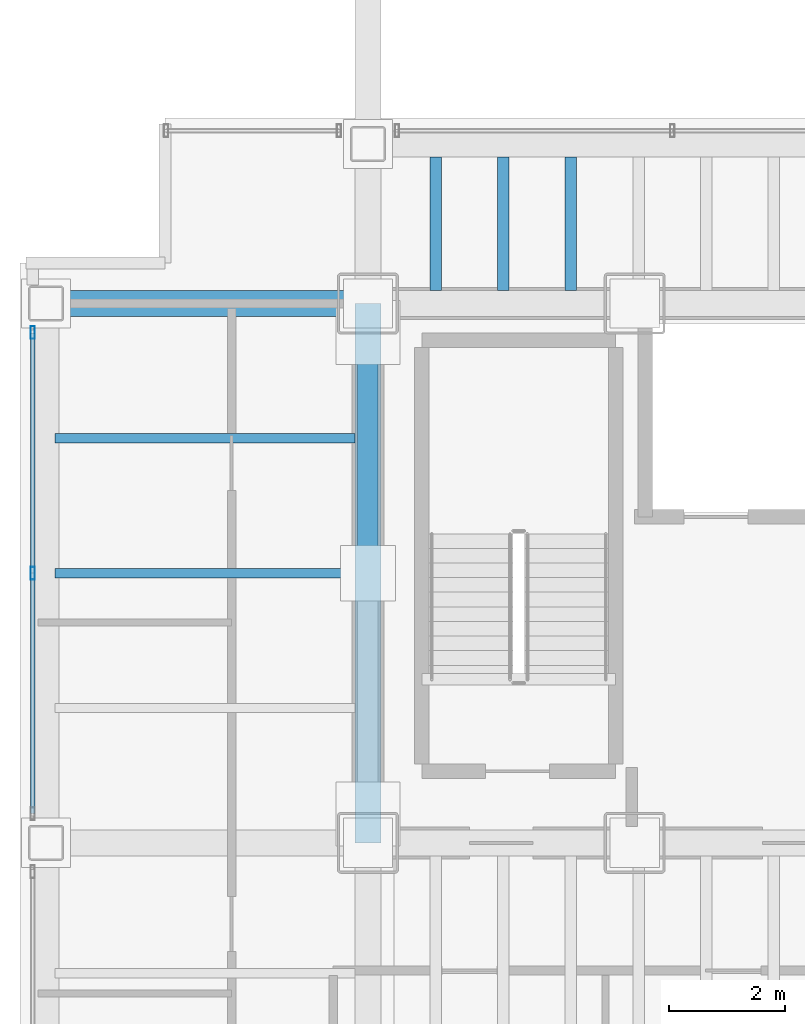
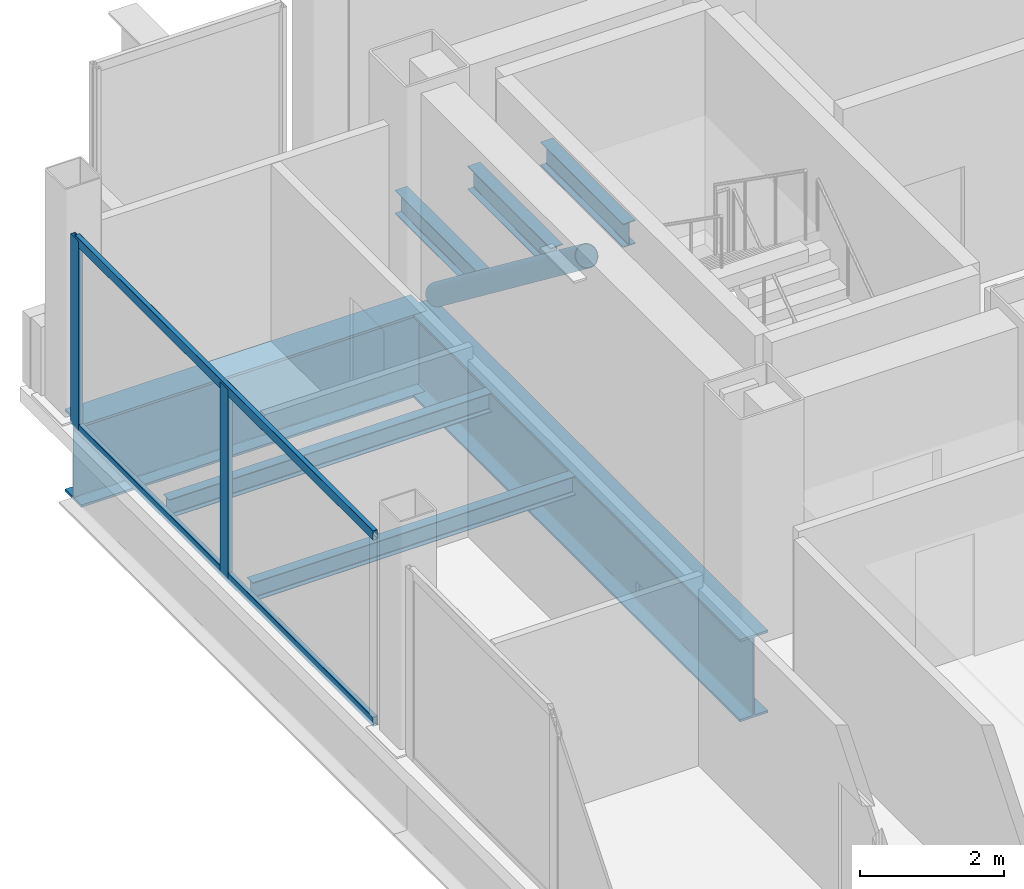
# One storey, part 7 of 21: 7 beams, 5 members, 1 element without a shape of its own.
"""IFC4 building model written with IfcOpenShell, lengths in metres."""

from ifc_helpers import new_model, si_unit, direction, frame, origin, origin_2d, place, context, subcontext, project, spatial, hollow_rectangle, hollow_circle, i_section, extrude, material, material_profile, profile_set, type_object, element, aggregate, save


model = new_model("IFC4")

# Units and contexts
model_context = context("Model", 3, precision=1e-05, world=origin(), true_north=direction((0.0, 1.0)))
body_context = subcontext(model_context, "Body", "Model", "MODEL_VIEW")
ifc_project = project(units=[si_unit("LENGTHUNIT", "METRE"), si_unit("AREAUNIT", "SQUARE_METRE"), si_unit("VOLUMEUNIT", "CUBIC_METRE"), si_unit("PLANEANGLEUNIT", "RADIAN"), si_unit("MASSUNIT", "GRAM", prefix="KILO")], contexts=[model_context])

# Site, building, storey
site_placement = place(None, origin())
site = spatial("IfcSite", under=ifc_project, at=site_placement, CompositionType="ELEMENT")
building_placement = place(site_placement, origin())
building = spatial("IfcBuilding", under=site, at=building_placement, Name="Noeulbin Bourse Tower", CompositionType="ELEMENT")
storey_placement = place(building_placement, frame((0.0, 0.0, 81.10009765625)))
storey = spatial("IfcBuildingStorey", under=building, at=storey_placement, Name="L20", CompositionType="ELEMENT", Elevation=81.10009765625)

# Beams
ifc_material_1 = material(Name="Steel S355", Category="steel")
ifc_material_profile_1 = material_profile(ifc_material_1, i_section(OverallWidth=0.159912109375, OverallDepth=0.320068359375, WebThickness=0.006591796875, FlangeThickness=0.010009765625, FilletRadius=0.012939453125, at=origin_2d()), Name="H-320x160x6.5x10", Category="LoadBearing")
ifc_profile_set_1 = profile_set([ifc_material_profile_1], Name="Steel S355")
beam_type_1 = type_object("IfcBeamType", Name="BM-JST-320", PredefinedType="JOIST", material=ifc_profile_set_1)
for number, where, z_axis, x_axis, name in (
    (1, (8.10009765625, 33.64990234375, -0.400146484375), (1.0, 0.0, 0.0), (0.0, 1.0, 0.0), "Wing Composite Joist L20-W74"),
    (2, (8.10009765625, 35.97509765625, -0.400146484375), (1.0, 0.0, 0.0), (0.0, 1.0, 0.0), "Wing Composite Joist L20-W75"),
):
    element("IfcBeam", number, at=place(storey_placement, frame(where, z_axis=z_axis, x_axis=x_axis)), inside=storey, type_object=beam_type_1, Name=name, PredefinedType="JOIST", context=body_context, shape_type="SweptSolid", body=[
        extrude(i_section(OverallWidth=0.159912109375, OverallDepth=0.320068359375, WebThickness=0.006591796875, FlangeThickness=0.010009765625, FilletRadius=0.012939453125, at=origin_2d()), origin(), (0.0, 0.0, 1.0), 5.1748046875),
    ])
ifc_material_profile_2 = material_profile(ifc_material_1, i_section(OverallWidth=0.199951171875, OverallDepth=0.39990234375, WebThickness=0.008056640625, FlangeThickness=0.012939453125, FilletRadius=0.01611328125, at=origin_2d()), Name="H-400x200x8x13", Category="LoadBearing")
ifc_profile_set_2 = profile_set([ifc_material_profile_2], Name="Steel S355")
beam_type_2 = type_object("IfcBeamType", Name="BM-SEC-400", PredefinedType="BEAM", material=ifc_profile_set_2)
for number, where, z_axis, x_axis, name in (
    (3, (14.666748046875, 38.52490234375, -0.440185546875), (0.0, 1.0, 0.0), (-1.0, 0.0, 0.0), "Tower Composite Joist L20-03"),
    (4, (15.833251953125, 38.52490234375, -0.440185546875), (0.0, 1.0, 0.0), (-1.0, 0.0, 0.0), "Tower Composite Joist L20-06"),
    (5, (17.0, 38.52490234375, -0.440185546875), (0.0, 1.0, 0.0), (-1.0, 0.0, 0.0), "Tower Composite Joist L20-09"),
):
    element("IfcBeam", number, at=place(storey_placement, frame(where, z_axis=z_axis, x_axis=x_axis)), inside=storey, type_object=beam_type_2, Name=name, PredefinedType="BEAM", context=body_context, shape_type="SweptSolid", body=[
        extrude(i_section(OverallWidth=0.199951171875, OverallDepth=0.39990234375, WebThickness=0.008056640625, FlangeThickness=0.012939453125, FilletRadius=0.01611328125, at=origin_2d()), origin(), (0.0, 0.0, 1.0), 2.300048828125),
    ])
ifc_material_2 = material(Name="Steel S460", Category="steel")
ifc_material_profile_3 = material_profile(ifc_material_2, i_section(OverallWidth=0.449951171875, OverallDepth=1.39990234375, WebThickness=0.02392578125, FlangeThickness=0.0400390625, FilletRadius=0.02392578125, at=origin_2d()), Name="PG-1400x450x24x40", Category="LoadBearing")
ifc_profile_set_3 = profile_set([ifc_material_profile_3], Name="Steel S460")
beam_type_3 = type_object("IfcBeamType", Name="BM-TRF-1400", PredefinedType="USERDEFINED", material=ifc_profile_set_3)
beam_1_placement = place(storey_placement, frame((7.949951171875, 38.300048828125, -0.940185546875), z_axis=(1.0, 0.0, 0.0), x_axis=(0.0, 1.0, 0.0)))
element("IfcBeam", 6, at=beam_1_placement, inside=storey, type_object=beam_type_3, Name="Tower Primary Girder EW L20-3.1", ObjectType="GIRDER", PredefinedType="USERDEFINED", context=body_context, shape_type="SweptSolid", body=[
    extrude(i_section(OverallWidth=0.449951171875, OverallDepth=1.39990234375, WebThickness=0.02392578125, FlangeThickness=0.0400390625, FilletRadius=0.02392578125, at=origin_2d()), origin(), (0.0, 0.0, 1.0), 5.550048828125),
])
beam_2_placement = place(storey_placement, frame((13.5, 29.0, -0.940185546875), z_axis=(0.0, 1.0, 0.0), x_axis=(-1.0, 0.0, 0.0)))
element("IfcBeam", 7, at=beam_2_placement, inside=storey, type_object=beam_type_3, Name="Tower Primary Girder NS L20-1.5", ObjectType="GIRDER", PredefinedType="USERDEFINED", context=body_context, shape_type="SweptSolid", body=[
    extrude(i_section(OverallWidth=0.449951171875, OverallDepth=1.39990234375, WebThickness=0.02392578125, FlangeThickness=0.0400390625, FilletRadius=0.02392578125, at=origin_2d()), origin(), (0.0, 0.0, 1.0), 9.300048828125),
])

# Curtain wall, members
ifc_material_3 = material(Name="Dark Solar-Control Double Glazing", Category="glass")
curtain_wall_type = type_object("IfcCurtainWallType", Name="CW-SYS-2", PredefinedType="NOTDEFINED", material=ifc_material_3)
curtain_wall_placement = place(storey_placement, origin())
curtain_wall = element("IfcCurtainWall", 8, at=curtain_wall_placement, inside=storey, type_object=curtain_wall_type, Name="Unitised Curtain Wall CW-L20-W-S3", PredefinedType="NOTDEFINED")
ifc_material_4 = material(Name="Anodised Aluminium 6063-T6", Category="aluminium")
ifc_material_profile_4 = material_profile(ifc_material_4, hollow_rectangle(XDim=0.074951171875, YDim=0.219970703125, WallThickness=0.0048828125, InnerFilletRadius=0.00244140625, OuterFilletRadius=0.0048828125, at=origin_2d()), Name="ALU-MULL-75x220x5", Category="LoadBearing")
ifc_profile_set_4 = profile_set([ifc_material_profile_4], Name="Anodised Aluminium 6063-T6")
member_type_1 = type_object("IfcMemberType", Name="CW-SYS-2-MUL", PredefinedType="MULLION", material=ifc_profile_set_4)
member_1_placement = place(storey_placement, frame((7.719970703125, 33.64990234375, -0.02001953125), z_axis=(0.0, 0.0, 1.0), x_axis=(1.0, 0.0, 0.0)))
member_1 = element("IfcMember", 9, at=member_1_placement, type_object=member_type_1, Name="Curtain Wall Mullion CW-L20-W-S3-M01", PredefinedType="MULLION", context=body_context, shape_type="SweptSolid", body=[
    extrude(hollow_rectangle(XDim=0.074951171875, YDim=0.219970703125, WallThickness=0.0048828125, InnerFilletRadius=0.00244140625, OuterFilletRadius=0.0048828125, at=origin_2d()), origin(), (0.0, 0.0, 1.0), 3.219970703125),
])
member_2_placement = place(storey_placement, frame((7.719970703125, 37.800048828125, -0.02001953125), z_axis=(0.0, 0.0, 1.0), x_axis=(1.0, 0.0, 0.0)))
member_2 = element("IfcMember", 10, at=member_2_placement, type_object=member_type_1, Name="Curtain Wall Mullion CW-L20-W-S3-M02", PredefinedType="MULLION", context=body_context, shape_type="SweptSolid", body=[
    extrude(hollow_rectangle(XDim=0.074951171875, YDim=0.219970703125, WallThickness=0.0048828125, InnerFilletRadius=0.00244140625, OuterFilletRadius=0.0048828125, at=origin_2d()), origin(), (0.0, 0.0, 1.0), 3.219970703125),
])
ifc_material_profile_5 = material_profile(ifc_material_4, hollow_rectangle(XDim=0.074951171875, YDim=0.159912109375, WallThickness=0.0048828125, InnerFilletRadius=0.00244140625, OuterFilletRadius=0.0048828125, at=origin_2d()), Name="ALU-TRAN-75x160x5", Category="LoadBearing")
ifc_profile_set_5 = profile_set([ifc_material_profile_5], Name="Anodised Aluminium 6063-T6")
member_type_2 = type_object("IfcMemberType", Name="CW-SYS-2-TRN", PredefinedType="USERDEFINED", material=ifc_profile_set_5)
member_3_placement = place(storey_placement, frame((7.719970703125, 29.510009765625, 0.010009765625), z_axis=(0.0, 1.0, 0.0), x_axis=(-1.0, 0.0, 0.0)))
member_3 = element("IfcMember", 11, at=member_3_placement, type_object=member_type_2, Name="Curtain Wall Transom CW-L20-W-S3-T00", ObjectType="TRANSOM", PredefinedType="USERDEFINED", context=body_context, shape_type="SweptSolid", body=[
    extrude(hollow_rectangle(XDim=0.074951171875, YDim=0.159912109375, WallThickness=0.0048828125, InnerFilletRadius=0.00244140625, OuterFilletRadius=0.0048828125, at=origin_2d()), origin(), (0.0, 0.0, 1.0), 8.280029296875),
])
member_4_placement = place(storey_placement, frame((7.719970703125, 29.510009765625, 3.169921875), z_axis=(0.0, 1.0, 0.0), x_axis=(-1.0, 0.0, 0.0)))
member_4 = element("IfcMember", 12, at=member_4_placement, type_object=member_type_2, Name="Curtain Wall Transom CW-L20-W-S3-T01", ObjectType="TRANSOM", PredefinedType="USERDEFINED", context=body_context, shape_type="SweptSolid", body=[
    extrude(hollow_rectangle(XDim=0.074951171875, YDim=0.159912109375, WallThickness=0.0048828125, InnerFilletRadius=0.00244140625, OuterFilletRadius=0.0048828125, at=origin_2d()), origin(), (0.0, 0.0, 1.0), 8.280029296875),
])
aggregate(curtain_wall, [member_1, member_2, member_3, member_4])

# Member
ifc_material_profile_6 = material_profile(ifc_material_1, hollow_circle(Radius=0.177734375, WallThickness=0.0126953125, at=origin_2d()), Name="CHS-355.6x12.7", Category="LoadBearing")
ifc_profile_set_6 = profile_set([ifc_material_profile_6], Name="Steel S355")
member_type_3 = type_object("IfcMemberType", Name="MEM-EXO-356", PredefinedType="BRACE", material=ifc_profile_set_6)
member_5_placement = place(storey_placement, frame((13.5, 33.64990234375, 3.369873046875), z_axis=(0.0, 0.794701388985, -0.607000578538), x_axis=(-1.0, 0.0, 0.0)))
element("IfcMember", 13, at=member_5_placement, inside=storey, type_object=member_type_3, Name="Core Flank Chevron Brace XT-L20-W2", PredefinedType="BRACE", context=body_context, shape_type="SweptSolid", body=[
    extrude(hollow_circle(Radius=0.177734375, WallThickness=0.0126953125, at=origin_2d()), origin(), (0.0, 0.0, 1.0), 5.22216796875),
])

save(model, "model.ifc")
